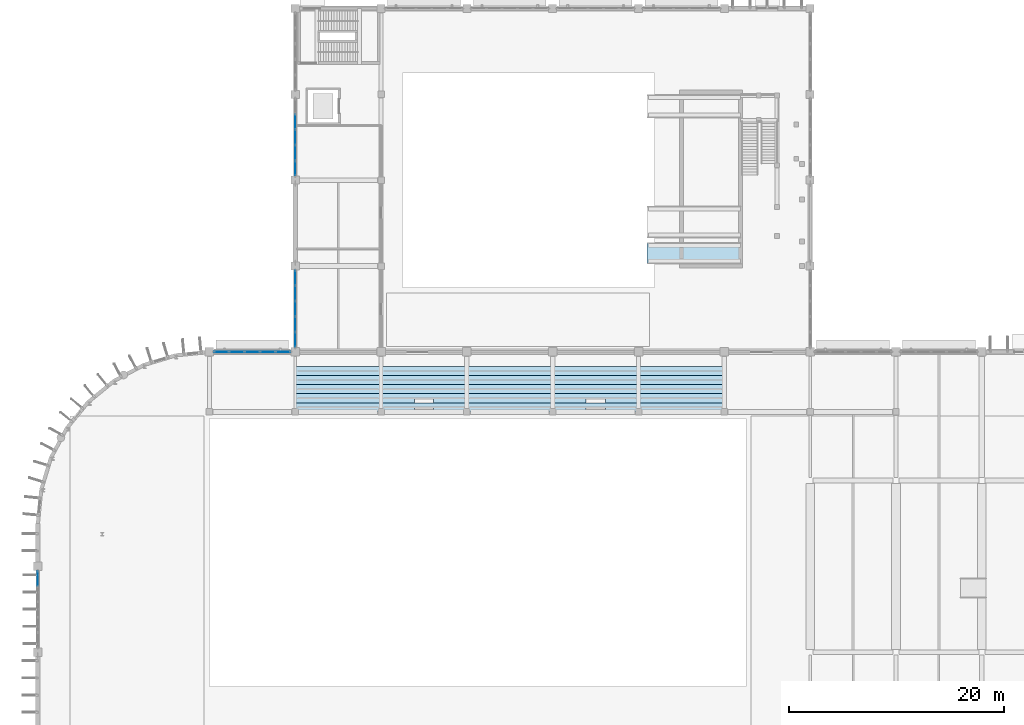
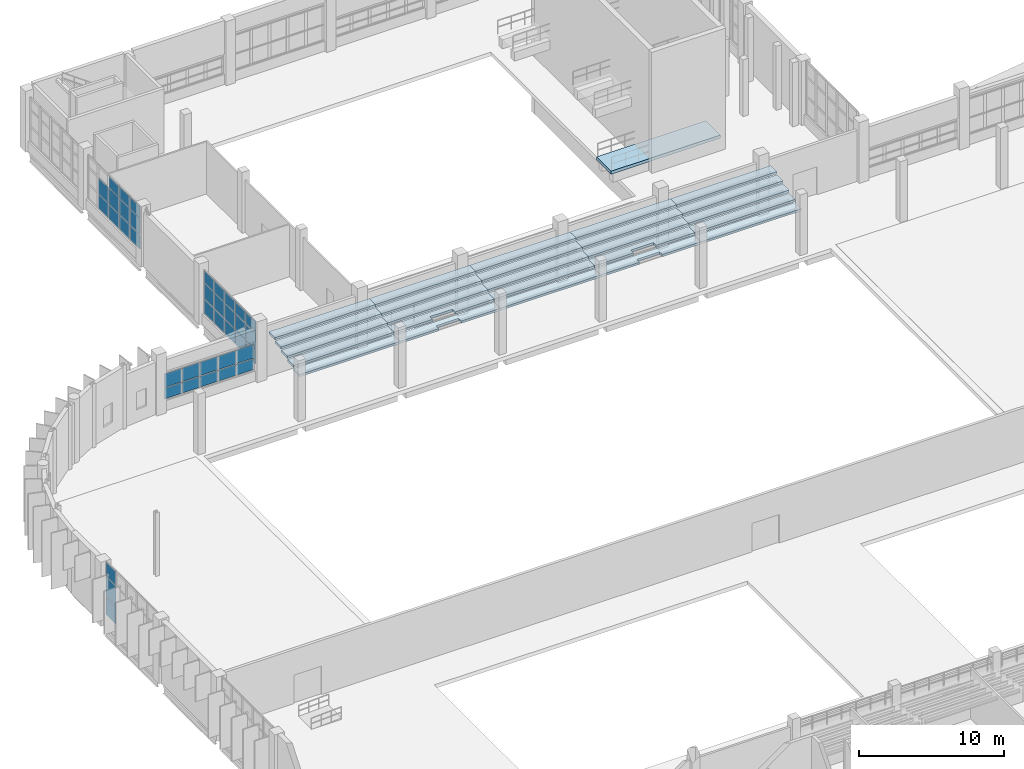
# One storey, part 57 of 103: 39 plates, 26 slabs, 4 elements without a shape of their own.
"""IFC4 building model written with IfcOpenShell, lengths in metres."""

from ifc_helpers import new_model, si_unit, direction, frame, origin, origin_2d, place, context, subcontext, project, spatial, polyline, rectangle, outline, extrude, material, layer, layer_set, type_object, element, aggregate, save


model = new_model("IFC4")

# Units and contexts
model_context = context("Model", 3, precision=1e-05, world=origin(), true_north=direction((0.0, 1.0)))
body_context = subcontext(model_context, "Body", "Model", "MODEL_VIEW")
ifc_project = project(units=[si_unit("LENGTHUNIT", "METRE"), si_unit("AREAUNIT", "SQUARE_METRE"), si_unit("VOLUMEUNIT", "CUBIC_METRE"), si_unit("PLANEANGLEUNIT", "RADIAN"), si_unit("MASSUNIT", "GRAM", prefix="KILO")], contexts=[model_context])

# Site, building, storey
site_placement = place(None, origin())
site = spatial("IfcSite", under=ifc_project, at=site_placement, CompositionType="ELEMENT")
building_placement = place(site_placement, origin())
building = spatial("IfcBuilding", under=site, at=building_placement, Name="Drelvana Railside Aquatics Centre", CompositionType="ELEMENT")
storey_placement = place(building_placement, origin())
storey = spatial("IfcBuildingStorey", under=building, at=storey_placement, Name="L00", CompositionType="ELEMENT", Elevation=0.0)

# Curtain wall, plates
ifc_material_1 = material(Name="Bronze-anodised aluminium curtain wall", Category="aluminium")
ifc_layer_1 = layer(ifc_material_1, 0.199951171875, Name="Bronze-anodised aluminium curtain wall")
ifc_layer_set_1 = layer_set([ifc_layer_1], Name="Bronze-anodised aluminium curtain wall")
curtain_wall_type_1 = type_object("IfcCurtainWallType", Name="CW-Z1-SINE", PredefinedType="NOTDEFINED", material=ifc_layer_set_1)
curtain_wall_1_placement = place(storey_placement, origin())
curtain_wall_1 = element("IfcCurtainWall", 1, at=curtain_wall_1_placement, inside=storey, type_object=curtain_wall_type_1, Name="Curtain wall CW-01-017", PredefinedType="NOTDEFINED")
ifc_material_2 = material(Name="Double-glazed low-e solar-control glass", Category="glass")
ifc_layer_2 = layer(ifc_material_2, 0.031982421875, Name="Double-glazed low-e solar-control glass")
ifc_layer_set_2 = layer_set([ifc_layer_2], Name="Double-glazed low-e solar-control glass")
plate_type_1 = type_object("IfcPlateType", Name="CW-Z1-SINE-PAN", PredefinedType="CURTAIN_PANEL", material=ifc_layer_set_2)
plate_1_placement = place(storey_placement, frame((17.134033203125, 84.0, 0.9091796875), z_axis=(0.0, 0.0, 1.0), x_axis=(1.0, 0.0, 0.0)))
plate_1 = element("IfcPlate", 2, at=plate_1_placement, type_object=plate_type_1, Name="CW-01 panel 1.1", PredefinedType="CURTAIN_PANEL", context=body_context, shape_type="SweptSolid", body=[
    extrude(rectangle(XDim=1.33984375, YDim=0.031982421875, at=origin_2d()), origin(), (0.0, 0.0, 1.0), 0.910888671875),
])
plate_2_placement = place(storey_placement, frame((17.134033203125, 84.0, 1.8798828125), z_axis=(0.0, 0.0, 1.0), x_axis=(1.0, 0.0, 0.0)))
plate_2 = element("IfcPlate", 3, at=plate_2_placement, type_object=plate_type_1, Name="CW-01 panel 1.2", PredefinedType="CURTAIN_PANEL", context=body_context, shape_type="SweptSolid", body=[
    extrude(rectangle(XDim=1.33984375, YDim=0.031982421875, at=origin_2d()), origin(), (0.0, 0.0, 1.0), 1.135009765625),
])
plate_3_placement = place(storey_placement, frame((18.5576171875, 84.0, 0.9091796875), z_axis=(0.0, 0.0, 1.0), x_axis=(1.0, 0.0, 0.0)))
plate_3 = element("IfcPlate", 4, at=plate_3_placement, type_object=plate_type_1, Name="CW-01 panel 2.1", PredefinedType="CURTAIN_PANEL", context=body_context, shape_type="SweptSolid", body=[
    extrude(rectangle(XDim=1.37744140625, YDim=0.031982421875, at=origin_2d()), origin(), (0.0, 0.0, 1.0), 0.910888671875),
])
plate_4_placement = place(storey_placement, frame((18.5576171875, 84.0, 1.8798828125), z_axis=(0.0, 0.0, 1.0), x_axis=(1.0, 0.0, 0.0)))
plate_4 = element("IfcPlate", 5, at=plate_4_placement, type_object=plate_type_1, Name="CW-01 panel 2.2", PredefinedType="CURTAIN_PANEL", context=body_context, shape_type="SweptSolid", body=[
    extrude(rectangle(XDim=1.37744140625, YDim=0.031982421875, at=origin_2d()), origin(), (0.0, 0.0, 1.0), 1.135009765625),
])
plate_5_placement = place(storey_placement, frame((20.0, 84.0, 0.9091796875), z_axis=(0.0, 0.0, 1.0), x_axis=(1.0, 0.0, 0.0)))
plate_5 = element("IfcPlate", 6, at=plate_5_placement, type_object=plate_type_1, Name="CW-01 panel 3.1", PredefinedType="CURTAIN_PANEL", context=body_context, shape_type="SweptSolid", body=[
    extrude(rectangle(XDim=1.37744140625, YDim=0.031982421875, at=origin_2d()), origin(), (0.0, 0.0, 1.0), 0.910888671875),
])
plate_6_placement = place(storey_placement, frame((20.0, 84.0, 1.8798828125), z_axis=(0.0, 0.0, 1.0), x_axis=(1.0, 0.0, 0.0)))
plate_6 = element("IfcPlate", 7, at=plate_6_placement, type_object=plate_type_1, Name="CW-01 panel 3.2", PredefinedType="CURTAIN_PANEL", context=body_context, shape_type="SweptSolid", body=[
    extrude(rectangle(XDim=1.37744140625, YDim=0.031982421875, at=origin_2d()), origin(), (0.0, 0.0, 1.0), 1.135009765625),
])
plate_7_placement = place(storey_placement, frame((21.4423828125, 84.0, 0.9091796875), z_axis=(0.0, 0.0, 1.0), x_axis=(1.0, 0.0, 0.0)))
plate_7 = element("IfcPlate", 8, at=plate_7_placement, type_object=plate_type_1, Name="CW-01 panel 4.1", PredefinedType="CURTAIN_PANEL", context=body_context, shape_type="SweptSolid", body=[
    extrude(rectangle(XDim=1.37744140625, YDim=0.031982421875, at=origin_2d()), origin(), (0.0, 0.0, 1.0), 0.910888671875),
])
plate_8_placement = place(storey_placement, frame((21.4423828125, 84.0, 1.8798828125), z_axis=(0.0, 0.0, 1.0), x_axis=(1.0, 0.0, 0.0)))
plate_8 = element("IfcPlate", 9, at=plate_8_placement, type_object=plate_type_1, Name="CW-01 panel 4.2", PredefinedType="CURTAIN_PANEL", context=body_context, shape_type="SweptSolid", body=[
    extrude(rectangle(XDim=1.37744140625, YDim=0.031982421875, at=origin_2d()), origin(), (0.0, 0.0, 1.0), 1.135009765625),
])
plate_9_placement = place(storey_placement, frame((22.865966796875, 84.0, 0.9091796875), z_axis=(0.0, 0.0, 1.0), x_axis=(1.0, 0.0, 0.0)))
plate_9 = element("IfcPlate", 10, at=plate_9_placement, type_object=plate_type_1, Name="CW-01 panel 5.1", PredefinedType="CURTAIN_PANEL", context=body_context, shape_type="SweptSolid", body=[
    extrude(rectangle(XDim=1.33984375, YDim=0.031982421875, at=origin_2d()), origin(), (0.0, 0.0, 1.0), 0.910888671875),
])
plate_10_placement = place(storey_placement, frame((22.865966796875, 84.0, 1.8798828125), z_axis=(0.0, 0.0, 1.0), x_axis=(1.0, 0.0, 0.0)))
plate_10 = element("IfcPlate", 11, at=plate_10_placement, type_object=plate_type_1, Name="CW-01 panel 5.2", PredefinedType="CURTAIN_PANEL", context=body_context, shape_type="SweptSolid", body=[
    extrude(rectangle(XDim=1.33984375, YDim=0.031982421875, at=origin_2d()), origin(), (0.0, 0.0, 1.0), 1.135009765625),
])
aggregate(curtain_wall_1, [plate_1, plate_2, plate_3, plate_4, plate_5, plate_6, plate_7, plate_8, plate_9, plate_10])

ifc_layer_3 = layer(ifc_material_1, 0.179931640625, Name="Bronze-anodised aluminium curtain wall")
ifc_layer_set_3 = layer_set([ifc_layer_3], Name="Bronze-anodised aluminium curtain wall")
curtain_wall_type_2 = type_object("IfcCurtainWallType", Name="CW-Z2-CLER", PredefinedType="NOTDEFINED", material=ifc_layer_set_3)
curtain_wall_2_placement = place(storey_placement, origin())
curtain_wall_2 = element("IfcCurtainWall", 12, at=curtain_wall_2_placement, inside=storey, type_object=curtain_wall_type_2, Name="Curtain wall CW-02-050", PredefinedType="NOTDEFINED")
ifc_layer_4 = layer(ifc_material_2, 0.028076171875, Name="Double-glazed low-e solar-control glass")
ifc_layer_set_4 = layer_set([ifc_layer_4], Name="Double-glazed low-e solar-control glass")
plate_type_2 = type_object("IfcPlateType", Name="CW-Z2-CLER-PAN", PredefinedType="CURTAIN_PANEL", material=ifc_layer_set_4)
plate_11_placement = place(storey_placement, frame((0.0, 62.8671875, 0.904052734375), z_axis=(0.0, 0.0, 1.0), x_axis=(0.0, 1.0, 0.0)))
plate_11 = element("IfcPlate", 13, at=plate_11_placement, type_object=plate_type_2, Name="CW-02 panel 5.1", PredefinedType="CURTAIN_PANEL", context=body_context, shape_type="SweptSolid", body=[
    extrude(rectangle(XDim=1.347412109375, YDim=0.028076171875, at=origin_2d()), origin(), (0.0, 0.0, 1.0), 1.50341796875),
])
plate_12_placement = place(storey_placement, frame((0.0, 62.8671875, 2.46240234375), z_axis=(0.0, 0.0, 1.0), x_axis=(0.0, 1.0, 0.0)))
plate_12 = element("IfcPlate", 14, at=plate_12_placement, type_object=plate_type_2, Name="CW-02 panel 5.2", PredefinedType="CURTAIN_PANEL", context=body_context, shape_type="SweptSolid", body=[
    extrude(rectangle(XDim=1.347412109375, YDim=0.028076171875, at=origin_2d()), origin(), (0.0, 0.0, 1.0), 1.626953125),
])
plate_13_placement = place(storey_placement, frame((0.0, 62.8671875, 4.14453125), z_axis=(0.0, 0.0, 1.0), x_axis=(0.0, 1.0, 0.0)))
plate_13 = element("IfcPlate", 15, at=plate_13_placement, type_object=plate_type_2, Name="CW-02 panel 5.3", PredefinedType="CURTAIN_PANEL", context=body_context, shape_type="SweptSolid", body=[
    extrude(rectangle(XDim=1.347412109375, YDim=0.028076171875, at=origin_2d()), origin(), (0.0, 0.0, 1.0), 1.185546875),
])
aggregate(curtain_wall_2, [plate_11, plate_12, plate_13])

ifc_layer_5 = layer(ifc_material_1, 0.2099609375, Name="Bronze-anodised aluminium curtain wall")
ifc_layer_set_5 = layer_set([ifc_layer_5], Name="Bronze-anodised aluminium curtain wall")
curtain_wall_type_3 = type_object("IfcCurtainWallType", Name="CW-Z7-DIVE", PredefinedType="NOTDEFINED", material=ifc_layer_set_5)
curtain_wall_3_placement = place(storey_placement, origin())
curtain_wall_3 = element("IfcCurtainWall", 16, at=curtain_wall_3_placement, inside=storey, type_object=curtain_wall_type_3, Name="Curtain wall CW-07-081", PredefinedType="NOTDEFINED")
ifc_layer_6 = layer(ifc_material_2, 0.033935546875, Name="Double-glazed low-e solar-control glass")
ifc_layer_set_6 = layer_set([ifc_layer_6], Name="Double-glazed low-e solar-control glass")
plate_type_3 = type_object("IfcPlateType", Name="CW-Z7-DIVE-PAN", PredefinedType="CURTAIN_PANEL", material=ifc_layer_set_6)
plate_14_placement = place(storey_placement, frame((24.0, 85.1376953125, 0.908935546875), z_axis=(0.0, 0.0, 1.0), x_axis=(0.0, 1.0, 0.0)))
plate_14 = element("IfcPlate", 17, at=plate_14_placement, type_object=plate_type_3, Name="CW-07 panel 1.1", PredefinedType="CURTAIN_PANEL", context=body_context, shape_type="SweptSolid", body=[
    extrude(rectangle(XDim=1.33740234375, YDim=0.033935546875, at=origin_2d()), origin(), (0.0, 0.0, 1.0), 1.2041015625),
])
plate_15_placement = place(storey_placement, frame((24.0, 85.1376953125, 2.173095703125), z_axis=(0.0, 0.0, 1.0), x_axis=(0.0, 1.0, 0.0)))
plate_15 = element("IfcPlate", 18, at=plate_15_placement, type_object=plate_type_3, Name="CW-07 panel 1.2", PredefinedType="CURTAIN_PANEL", context=body_context, shape_type="SweptSolid", body=[
    extrude(rectangle(XDim=1.33740234375, YDim=0.033935546875, at=origin_2d()), origin(), (0.0, 0.0, 1.0), 1.31298828125),
])
plate_16_placement = place(storey_placement, frame((24.0, 85.1376953125, 3.5458984375), z_axis=(0.0, 0.0, 1.0), x_axis=(0.0, 1.0, 0.0)))
plate_16 = element("IfcPlate", 19, at=plate_16_placement, type_object=plate_type_3, Name="CW-07 panel 1.3", PredefinedType="CURTAIN_PANEL", context=body_context, shape_type="SweptSolid", body=[
    extrude(rectangle(XDim=1.33740234375, YDim=0.033935546875, at=origin_2d()), origin(), (0.0, 0.0, 1.0), 0.944091796875),
])
plate_17_placement = place(storey_placement, frame((24.0, 86.565185546875, 0.908935546875), z_axis=(0.0, 0.0, 1.0), x_axis=(0.0, 1.0, 0.0)))
plate_17 = element("IfcPlate", 20, at=plate_17_placement, type_object=plate_type_3, Name="CW-07 panel 2.1", PredefinedType="CURTAIN_PANEL", context=body_context, shape_type="SweptSolid", body=[
    extrude(rectangle(XDim=1.37744140625, YDim=0.033935546875, at=origin_2d()), origin(), (0.0, 0.0, 1.0), 1.2041015625),
])
plate_18_placement = place(storey_placement, frame((24.0, 86.565185546875, 2.173095703125), z_axis=(0.0, 0.0, 1.0), x_axis=(0.0, 1.0, 0.0)))
plate_18 = element("IfcPlate", 21, at=plate_18_placement, type_object=plate_type_3, Name="CW-07 panel 2.2", PredefinedType="CURTAIN_PANEL", context=body_context, shape_type="SweptSolid", body=[
    extrude(rectangle(XDim=1.37744140625, YDim=0.033935546875, at=origin_2d()), origin(), (0.0, 0.0, 1.0), 1.31298828125),
])
plate_19_placement = place(storey_placement, frame((24.0, 86.565185546875, 3.5458984375), z_axis=(0.0, 0.0, 1.0), x_axis=(0.0, 1.0, 0.0)))
plate_19 = element("IfcPlate", 22, at=plate_19_placement, type_object=plate_type_3, Name="CW-07 panel 2.3", PredefinedType="CURTAIN_PANEL", context=body_context, shape_type="SweptSolid", body=[
    extrude(rectangle(XDim=1.37744140625, YDim=0.033935546875, at=origin_2d()), origin(), (0.0, 0.0, 1.0), 0.944091796875),
])
plate_20_placement = place(storey_placement, frame((24.0, 88.012451171875, 0.908935546875), z_axis=(0.0, 0.0, 1.0), x_axis=(0.0, 1.0, 0.0)))
plate_20 = element("IfcPlate", 23, at=plate_20_placement, type_object=plate_type_3, Name="CW-07 panel 3.1", PredefinedType="CURTAIN_PANEL", context=body_context, shape_type="SweptSolid", body=[
    extrude(rectangle(XDim=1.37744140625, YDim=0.033935546875, at=origin_2d()), origin(), (0.0, 0.0, 1.0), 1.2041015625),
])
plate_21_placement = place(storey_placement, frame((24.0, 88.012451171875, 2.173095703125), z_axis=(0.0, 0.0, 1.0), x_axis=(0.0, 1.0, 0.0)))
plate_21 = element("IfcPlate", 24, at=plate_21_placement, type_object=plate_type_3, Name="CW-07 panel 3.2", PredefinedType="CURTAIN_PANEL", context=body_context, shape_type="SweptSolid", body=[
    extrude(rectangle(XDim=1.37744140625, YDim=0.033935546875, at=origin_2d()), origin(), (0.0, 0.0, 1.0), 1.31298828125),
])
plate_22_placement = place(storey_placement, frame((24.0, 88.012451171875, 3.5458984375), z_axis=(0.0, 0.0, 1.0), x_axis=(0.0, 1.0, 0.0)))
plate_22 = element("IfcPlate", 25, at=plate_22_placement, type_object=plate_type_3, Name="CW-07 panel 3.3", PredefinedType="CURTAIN_PANEL", context=body_context, shape_type="SweptSolid", body=[
    extrude(rectangle(XDim=1.37744140625, YDim=0.033935546875, at=origin_2d()), origin(), (0.0, 0.0, 1.0), 0.944091796875),
])
plate_23_placement = place(storey_placement, frame((24.0, 89.4599609375, 0.908935546875), z_axis=(0.0, 0.0, 1.0), x_axis=(0.0, 1.0, 0.0)))
plate_23 = element("IfcPlate", 26, at=plate_23_placement, type_object=plate_type_3, Name="CW-07 panel 4.1", PredefinedType="CURTAIN_PANEL", context=body_context, shape_type="SweptSolid", body=[
    extrude(rectangle(XDim=1.37744140625, YDim=0.033935546875, at=origin_2d()), origin(), (0.0, 0.0, 1.0), 1.2041015625),
])
plate_24_placement = place(storey_placement, frame((24.0, 89.4599609375, 2.173095703125), z_axis=(0.0, 0.0, 1.0), x_axis=(0.0, 1.0, 0.0)))
plate_24 = element("IfcPlate", 27, at=plate_24_placement, type_object=plate_type_3, Name="CW-07 panel 4.2", PredefinedType="CURTAIN_PANEL", context=body_context, shape_type="SweptSolid", body=[
    extrude(rectangle(XDim=1.37744140625, YDim=0.033935546875, at=origin_2d()), origin(), (0.0, 0.0, 1.0), 1.31298828125),
])
plate_25_placement = place(storey_placement, frame((24.0, 89.4599609375, 3.5458984375), z_axis=(0.0, 0.0, 1.0), x_axis=(0.0, 1.0, 0.0)))
plate_25 = element("IfcPlate", 28, at=plate_25_placement, type_object=plate_type_3, Name="CW-07 panel 4.3", PredefinedType="CURTAIN_PANEL", context=body_context, shape_type="SweptSolid", body=[
    extrude(rectangle(XDim=1.37744140625, YDim=0.033935546875, at=origin_2d()), origin(), (0.0, 0.0, 1.0), 0.944091796875),
])
plate_26_placement = place(storey_placement, frame((24.0, 90.88720703125, 0.908935546875), z_axis=(0.0, 0.0, 1.0), x_axis=(0.0, 1.0, 0.0)))
plate_26 = element("IfcPlate", 29, at=plate_26_placement, type_object=plate_type_3, Name="CW-07 panel 5.1", PredefinedType="CURTAIN_PANEL", context=body_context, shape_type="SweptSolid", body=[
    extrude(rectangle(XDim=1.33740234375, YDim=0.033935546875, at=origin_2d()), origin(), (0.0, 0.0, 1.0), 1.2041015625),
])
plate_27_placement = place(storey_placement, frame((24.0, 90.88720703125, 2.173095703125), z_axis=(0.0, 0.0, 1.0), x_axis=(0.0, 1.0, 0.0)))
plate_27 = element("IfcPlate", 30, at=plate_27_placement, type_object=plate_type_3, Name="CW-07 panel 5.2", PredefinedType="CURTAIN_PANEL", context=body_context, shape_type="SweptSolid", body=[
    extrude(rectangle(XDim=1.33740234375, YDim=0.033935546875, at=origin_2d()), origin(), (0.0, 0.0, 1.0), 1.31298828125),
])
plate_28_placement = place(storey_placement, frame((24.0, 90.88720703125, 3.5458984375), z_axis=(0.0, 0.0, 1.0), x_axis=(0.0, 1.0, 0.0)))
plate_28 = element("IfcPlate", 31, at=plate_28_placement, type_object=plate_type_3, Name="CW-07 panel 5.3", PredefinedType="CURTAIN_PANEL", context=body_context, shape_type="SweptSolid", body=[
    extrude(rectangle(XDim=1.33740234375, YDim=0.033935546875, at=origin_2d()), origin(), (0.0, 0.0, 1.0), 0.944091796875),
])
aggregate(curtain_wall_3, [plate_14, plate_15, plate_16, plate_17, plate_18, plate_19, plate_20, plate_21, plate_22, plate_23, plate_24, plate_25, plate_26, plate_27, plate_28])

curtain_wall_4_placement = place(storey_placement, origin())
curtain_wall_4 = element("IfcCurtainWall", 32, at=curtain_wall_4_placement, inside=storey, type_object=curtain_wall_type_3, Name="Curtain wall CW-07-084", PredefinedType="NOTDEFINED")
plate_29_placement = place(storey_placement, frame((24.0, 101.115234375, 0.908935546875), z_axis=(0.0, 0.0, 1.0), x_axis=(0.0, 1.0, 0.0)))
plate_29 = element("IfcPlate", 33, at=plate_29_placement, type_object=plate_type_3, Name="CW-07 panel 1.1", PredefinedType="CURTAIN_PANEL", context=body_context, shape_type="SweptSolid", body=[
    extrude(rectangle(XDim=1.34228515625, YDim=0.033935546875, at=origin_2d()), origin(), (0.0, 0.0, 1.0), 1.2041015625),
])
plate_30_placement = place(storey_placement, frame((24.0, 101.115234375, 2.173095703125), z_axis=(0.0, 0.0, 1.0), x_axis=(0.0, 1.0, 0.0)))
plate_30 = element("IfcPlate", 34, at=plate_30_placement, type_object=plate_type_3, Name="CW-07 panel 1.2", PredefinedType="CURTAIN_PANEL", context=body_context, shape_type="SweptSolid", body=[
    extrude(rectangle(XDim=1.34228515625, YDim=0.033935546875, at=origin_2d()), origin(), (0.0, 0.0, 1.0), 1.31298828125),
])
plate_31_placement = place(storey_placement, frame((24.0, 101.115234375, 3.5458984375), z_axis=(0.0, 0.0, 1.0), x_axis=(0.0, 1.0, 0.0)))
plate_31 = element("IfcPlate", 35, at=plate_31_placement, type_object=plate_type_3, Name="CW-07 panel 1.3", PredefinedType="CURTAIN_PANEL", context=body_context, shape_type="SweptSolid", body=[
    extrude(rectangle(XDim=1.34228515625, YDim=0.033935546875, at=origin_2d()), origin(), (0.0, 0.0, 1.0), 0.944091796875),
])
plate_32_placement = place(storey_placement, frame((24.0, 102.547607421875, 0.908935546875), z_axis=(0.0, 0.0, 1.0), x_axis=(0.0, 1.0, 0.0)))
plate_32 = element("IfcPlate", 36, at=plate_32_placement, type_object=plate_type_3, Name="CW-07 panel 2.1", PredefinedType="CURTAIN_PANEL", context=body_context, shape_type="SweptSolid", body=[
    extrude(rectangle(XDim=1.38232421875, YDim=0.033935546875, at=origin_2d()), origin(), (0.0, 0.0, 1.0), 1.2041015625),
])
plate_33_placement = place(storey_placement, frame((24.0, 102.547607421875, 2.173095703125), z_axis=(0.0, 0.0, 1.0), x_axis=(0.0, 1.0, 0.0)))
plate_33 = element("IfcPlate", 37, at=plate_33_placement, type_object=plate_type_3, Name="CW-07 panel 2.2", PredefinedType="CURTAIN_PANEL", context=body_context, shape_type="SweptSolid", body=[
    extrude(rectangle(XDim=1.38232421875, YDim=0.033935546875, at=origin_2d()), origin(), (0.0, 0.0, 1.0), 1.31298828125),
])
plate_34_placement = place(storey_placement, frame((24.0, 102.547607421875, 3.5458984375), z_axis=(0.0, 0.0, 1.0), x_axis=(0.0, 1.0, 0.0)))
plate_34 = element("IfcPlate", 38, at=plate_34_placement, type_object=plate_type_3, Name="CW-07 panel 2.3", PredefinedType="CURTAIN_PANEL", context=body_context, shape_type="SweptSolid", body=[
    extrude(rectangle(XDim=1.38232421875, YDim=0.033935546875, at=origin_2d()), origin(), (0.0, 0.0, 1.0), 0.944091796875),
])
plate_35_placement = place(storey_placement, frame((24.0, 104.0, 0.908935546875), z_axis=(0.0, 0.0, 1.0), x_axis=(0.0, 1.0, 0.0)))
plate_35 = element("IfcPlate", 39, at=plate_35_placement, type_object=plate_type_3, Name="CW-07 panel 3.1", PredefinedType="CURTAIN_PANEL", context=body_context, shape_type="SweptSolid", body=[
    extrude(rectangle(XDim=1.38232421875, YDim=0.033935546875, at=origin_2d()), origin(), (0.0, 0.0, 1.0), 1.2041015625),
])
plate_36_placement = place(storey_placement, frame((24.0, 104.0, 2.173095703125), z_axis=(0.0, 0.0, 1.0), x_axis=(0.0, 1.0, 0.0)))
plate_36 = element("IfcPlate", 40, at=plate_36_placement, type_object=plate_type_3, Name="CW-07 panel 3.2", PredefinedType="CURTAIN_PANEL", context=body_context, shape_type="SweptSolid", body=[
    extrude(rectangle(XDim=1.38232421875, YDim=0.033935546875, at=origin_2d()), origin(), (0.0, 0.0, 1.0), 1.31298828125),
])
plate_37_placement = place(storey_placement, frame((24.0, 104.0, 3.5458984375), z_axis=(0.0, 0.0, 1.0), x_axis=(0.0, 1.0, 0.0)))
plate_37 = element("IfcPlate", 41, at=plate_37_placement, type_object=plate_type_3, Name="CW-07 panel 3.3", PredefinedType="CURTAIN_PANEL", context=body_context, shape_type="SweptSolid", body=[
    extrude(rectangle(XDim=1.38232421875, YDim=0.033935546875, at=origin_2d()), origin(), (0.0, 0.0, 1.0), 0.944091796875),
])
plate_38_placement = place(storey_placement, frame((24.0, 105.452392578125, 0.908935546875), z_axis=(0.0, 0.0, 1.0), x_axis=(0.0, 1.0, 0.0)))
plate_38 = element("IfcPlate", 42, at=plate_38_placement, type_object=plate_type_3, Name="CW-07 panel 4.1", PredefinedType="CURTAIN_PANEL", context=body_context, shape_type="SweptSolid", body=[
    extrude(rectangle(XDim=1.38232421875, YDim=0.033935546875, at=origin_2d()), origin(), (0.0, 0.0, 1.0), 1.2041015625),
])
plate_39_placement = place(storey_placement, frame((24.0, 105.452392578125, 2.173095703125), z_axis=(0.0, 0.0, 1.0), x_axis=(0.0, 1.0, 0.0)))
plate_39 = element("IfcPlate", 43, at=plate_39_placement, type_object=plate_type_3, Name="CW-07 panel 4.2", PredefinedType="CURTAIN_PANEL", context=body_context, shape_type="SweptSolid", body=[
    extrude(rectangle(XDim=1.38232421875, YDim=0.033935546875, at=origin_2d()), origin(), (0.0, 0.0, 1.0), 1.31298828125),
])
aggregate(curtain_wall_4, [plate_29, plate_30, plate_31, plate_32, plate_33, plate_34, plate_35, plate_36, plate_37, plate_38, plate_39])

# Slabs
ifc_material_3 = material(Name="Concrete C40/50", Category="concrete")
ifc_layer_7 = layer(ifc_material_3, 0.260009765625, Name="Concrete C40/50")
ifc_layer_set_7 = layer_set([ifc_layer_7], Name="Concrete C40/50")
slab_type_1 = type_object("IfcSlabType", Name="SL-DV-260", PredefinedType="FLOOR", material=ifc_layer_set_7)
slab_1_placement = place(storey_placement, frame((0.0, 0.0, 0.739990234375)))
element("IfcSlab", 44, at=slab_1_placement, inside=storey, type_object=slab_type_1, Name="Diving platform 1M slab", PredefinedType="FLOOR", context=body_context, shape_type="SweptSolid", body=[
    extrude(outline(polyline([(56.800048828125, 92.199951171875), (65.5, 92.199951171875), (65.5, 94.199951171875), (56.800048828125, 94.199951171875), (56.800048828125, 92.199951171875)])), origin(), (0.0, 0.0, 1.0), 0.260009765625),
])
ifc_material_4 = material(Name="Precast concrete C40/50", Category="concrete")
ifc_layer_8 = layer(ifc_material_4, 0.195068359375, Name="Precast concrete C40/50")
ifc_layer_set_8 = layer_set([ifc_layer_8], Name="Precast concrete C40/50")
slab_type_2 = type_object("IfcSlabType", Name="SL-TIER-195", PredefinedType="USERDEFINED", material=ifc_layer_set_8)
slab_2_placement = place(storey_placement, frame((0.0, 0.0, 3.50634765625)))
element("IfcSlab", 45, at=slab_2_placement, inside=storey, type_object=slab_type_2, Name="Stand Lower Tier N Bay 1 Row 1", ObjectType="SEATING TIER", PredefinedType="USERDEFINED", context=body_context, shape_type="SweptSolid", body=[
    extrude(outline(polyline([(24.0, 78.39990234375), (32.0, 78.39990234375), (32.0, 79.25), (24.0, 79.25), (24.0, 78.39990234375)])), origin(), (0.0, 0.0, 1.0), 0.195068359375),
])
slab_3_placement = place(storey_placement, frame((0.0, 0.0, 3.768798828125)))
element("IfcSlab", 46, at=slab_3_placement, inside=storey, type_object=slab_type_2, Name="Stand Lower Tier N Bay 1 Row 2", ObjectType="SEATING TIER", PredefinedType="USERDEFINED", context=body_context, shape_type="SweptSolid", body=[
    extrude(outline(polyline([(24.0, 79.25), (32.0, 79.25), (32.0, 80.10009765625), (24.0, 80.10009765625), (24.0, 79.25)])), origin(), (0.0, 0.0, 1.0), 0.195068359375),
])
slab_4_placement = place(storey_placement, frame((0.0, 0.0, 4.031494140625)))
element("IfcSlab", 47, at=slab_4_placement, inside=storey, type_object=slab_type_2, Name="Stand Lower Tier N Bay 1 Row 3", ObjectType="SEATING TIER", PredefinedType="USERDEFINED", context=body_context, shape_type="SweptSolid", body=[
    extrude(outline(polyline([(24.0, 80.10009765625), (32.0, 80.10009765625), (32.0, 80.949951171875), (24.0, 80.949951171875), (24.0, 80.10009765625)])), origin(), (0.0, 0.0, 1.0), 0.195068359375),
])
slab_5_placement = place(storey_placement, frame((0.0, 0.0, 4.294189453125)))
element("IfcSlab", 48, at=slab_5_placement, inside=storey, type_object=slab_type_2, Name="Stand Lower Tier N Bay 1 Row 4", ObjectType="SEATING TIER", PredefinedType="USERDEFINED", context=body_context, shape_type="SweptSolid", body=[
    extrude(outline(polyline([(24.0, 80.949951171875), (32.0, 80.949951171875), (32.0, 81.800048828125), (24.0, 81.800048828125), (24.0, 80.949951171875)])), origin(), (0.0, 0.0, 1.0), 0.19482421875),
])
slab_6_placement = place(storey_placement, frame((0.0, 0.0, 4.556640625)))
element("IfcSlab", 49, at=slab_6_placement, inside=storey, type_object=slab_type_2, Name="Stand Lower Tier N Bay 1 Row 5", ObjectType="SEATING TIER", PredefinedType="USERDEFINED", context=body_context, shape_type="SweptSolid", body=[
    extrude(outline(polyline([(24.0, 81.800048828125), (32.0, 81.800048828125), (32.0, 82.64990234375), (24.0, 82.64990234375), (24.0, 81.800048828125)])), origin(), (0.0, 0.0, 1.0), 0.195068359375),
])
slab_7_placement = place(storey_placement, frame((0.0, 0.0, 3.50634765625)))
element("IfcSlab", 50, at=slab_7_placement, inside=storey, type_object=slab_type_2, Name="Stand Lower Tier Vomitory N Bay 2 Row 1", ObjectType="SEATING TIER", PredefinedType="USERDEFINED", context=body_context, shape_type="SweptSolid", body=[
    extrude(outline(polyline([(32.0, 78.39990234375), (35.10009765625, 78.39990234375), (35.10009765625, 78.780029296875), (36.89990234375, 78.780029296875), (36.89990234375, 78.39990234375), (40.0, 78.39990234375), (40.0, 79.25), (32.0, 79.25), (32.0, 78.39990234375)])), origin(), (0.0, 0.0, 1.0), 0.195068359375),
])
slab_8_placement = place(storey_placement, frame((0.0, 0.0, 3.768798828125)))
element("IfcSlab", 51, at=slab_8_placement, inside=storey, type_object=slab_type_2, Name="Stand Lower Tier Vomitory N Bay 2 Row 2", ObjectType="SEATING TIER", PredefinedType="USERDEFINED", context=body_context, shape_type="SweptSolid", body=[
    extrude(outline(polyline([(32.0, 79.25), (35.10009765625, 79.25), (35.10009765625, 79.6298828125), (36.89990234375, 79.6298828125), (36.89990234375, 79.25), (40.0, 79.25), (40.0, 80.10009765625), (32.0, 80.10009765625), (32.0, 79.25)])), origin(), (0.0, 0.0, 1.0), 0.195068359375),
])
slab_9_placement = place(storey_placement, frame((0.0, 0.0, 4.031494140625)))
element("IfcSlab", 52, at=slab_9_placement, inside=storey, type_object=slab_type_2, Name="Stand Lower Tier N Bay 2 Row 3", ObjectType="SEATING TIER", PredefinedType="USERDEFINED", context=body_context, shape_type="SweptSolid", body=[
    extrude(outline(polyline([(32.0, 80.10009765625), (40.0, 80.10009765625), (40.0, 80.949951171875), (32.0, 80.949951171875), (32.0, 80.10009765625)])), origin(), (0.0, 0.0, 1.0), 0.195068359375),
])
slab_10_placement = place(storey_placement, frame((0.0, 0.0, 4.294189453125)))
element("IfcSlab", 53, at=slab_10_placement, inside=storey, type_object=slab_type_2, Name="Stand Lower Tier N Bay 2 Row 4", ObjectType="SEATING TIER", PredefinedType="USERDEFINED", context=body_context, shape_type="SweptSolid", body=[
    extrude(outline(polyline([(32.0, 80.949951171875), (40.0, 80.949951171875), (40.0, 81.800048828125), (32.0, 81.800048828125), (32.0, 80.949951171875)])), origin(), (0.0, 0.0, 1.0), 0.19482421875),
])
slab_11_placement = place(storey_placement, frame((0.0, 0.0, 4.556640625)))
element("IfcSlab", 54, at=slab_11_placement, inside=storey, type_object=slab_type_2, Name="Stand Lower Tier N Bay 2 Row 5", ObjectType="SEATING TIER", PredefinedType="USERDEFINED", context=body_context, shape_type="SweptSolid", body=[
    extrude(outline(polyline([(32.0, 81.800048828125), (40.0, 81.800048828125), (40.0, 82.64990234375), (32.0, 82.64990234375), (32.0, 81.800048828125)])), origin(), (0.0, 0.0, 1.0), 0.195068359375),
])
slab_12_placement = place(storey_placement, frame((0.0, 0.0, 3.50634765625)))
element("IfcSlab", 55, at=slab_12_placement, inside=storey, type_object=slab_type_2, Name="Stand Lower Tier N Bay 3 Row 1", ObjectType="SEATING TIER", PredefinedType="USERDEFINED", context=body_context, shape_type="SweptSolid", body=[
    extrude(outline(polyline([(40.0, 78.39990234375), (48.0, 78.39990234375), (48.0, 79.25), (40.0, 79.25), (40.0, 78.39990234375)])), origin(), (0.0, 0.0, 1.0), 0.195068359375),
])
slab_13_placement = place(storey_placement, frame((0.0, 0.0, 3.768798828125)))
element("IfcSlab", 56, at=slab_13_placement, inside=storey, type_object=slab_type_2, Name="Stand Lower Tier N Bay 3 Row 2", ObjectType="SEATING TIER", PredefinedType="USERDEFINED", context=body_context, shape_type="SweptSolid", body=[
    extrude(outline(polyline([(40.0, 79.25), (48.0, 79.25), (48.0, 80.10009765625), (40.0, 80.10009765625), (40.0, 79.25)])), origin(), (0.0, 0.0, 1.0), 0.195068359375),
])
slab_14_placement = place(storey_placement, frame((0.0, 0.0, 4.031494140625)))
element("IfcSlab", 57, at=slab_14_placement, inside=storey, type_object=slab_type_2, Name="Stand Lower Tier N Bay 3 Row 3", ObjectType="SEATING TIER", PredefinedType="USERDEFINED", context=body_context, shape_type="SweptSolid", body=[
    extrude(outline(polyline([(40.0, 80.10009765625), (48.0, 80.10009765625), (48.0, 80.949951171875), (40.0, 80.949951171875), (40.0, 80.10009765625)])), origin(), (0.0, 0.0, 1.0), 0.195068359375),
])
slab_15_placement = place(storey_placement, frame((0.0, 0.0, 4.294189453125)))
element("IfcSlab", 58, at=slab_15_placement, inside=storey, type_object=slab_type_2, Name="Stand Lower Tier N Bay 3 Row 4", ObjectType="SEATING TIER", PredefinedType="USERDEFINED", context=body_context, shape_type="SweptSolid", body=[
    extrude(outline(polyline([(40.0, 80.949951171875), (48.0, 80.949951171875), (48.0, 81.800048828125), (40.0, 81.800048828125), (40.0, 80.949951171875)])), origin(), (0.0, 0.0, 1.0), 0.19482421875),
])
slab_16_placement = place(storey_placement, frame((0.0, 0.0, 4.556640625)))
element("IfcSlab", 59, at=slab_16_placement, inside=storey, type_object=slab_type_2, Name="Stand Lower Tier N Bay 3 Row 5", ObjectType="SEATING TIER", PredefinedType="USERDEFINED", context=body_context, shape_type="SweptSolid", body=[
    extrude(outline(polyline([(40.0, 81.800048828125), (48.0, 81.800048828125), (48.0, 82.64990234375), (40.0, 82.64990234375), (40.0, 81.800048828125)])), origin(), (0.0, 0.0, 1.0), 0.195068359375),
])
slab_17_placement = place(storey_placement, frame((0.0, 0.0, 3.50634765625)))
element("IfcSlab", 60, at=slab_17_placement, inside=storey, type_object=slab_type_2, Name="Stand Lower Tier Vomitory N Bay 4 Row 1", ObjectType="SEATING TIER", PredefinedType="USERDEFINED", context=body_context, shape_type="SweptSolid", body=[
    extrude(outline(polyline([(48.0, 78.39990234375), (51.10009765625, 78.39990234375), (51.10009765625, 78.780029296875), (52.89990234375, 78.780029296875), (52.89990234375, 78.39990234375), (56.0, 78.39990234375), (56.0, 79.25), (48.0, 79.25), (48.0, 78.39990234375)])), origin(), (0.0, 0.0, 1.0), 0.195068359375),
])
slab_18_placement = place(storey_placement, frame((0.0, 0.0, 3.768798828125)))
element("IfcSlab", 61, at=slab_18_placement, inside=storey, type_object=slab_type_2, Name="Stand Lower Tier Vomitory N Bay 4 Row 2", ObjectType="SEATING TIER", PredefinedType="USERDEFINED", context=body_context, shape_type="SweptSolid", body=[
    extrude(outline(polyline([(48.0, 79.25), (51.10009765625, 79.25), (51.10009765625, 79.6298828125), (52.89990234375, 79.6298828125), (52.89990234375, 79.25), (56.0, 79.25), (56.0, 80.10009765625), (48.0, 80.10009765625), (48.0, 79.25)])), origin(), (0.0, 0.0, 1.0), 0.195068359375),
])
slab_19_placement = place(storey_placement, frame((0.0, 0.0, 4.031494140625)))
element("IfcSlab", 62, at=slab_19_placement, inside=storey, type_object=slab_type_2, Name="Stand Lower Tier N Bay 4 Row 3", ObjectType="SEATING TIER", PredefinedType="USERDEFINED", context=body_context, shape_type="SweptSolid", body=[
    extrude(outline(polyline([(48.0, 80.10009765625), (56.0, 80.10009765625), (56.0, 80.949951171875), (48.0, 80.949951171875), (48.0, 80.10009765625)])), origin(), (0.0, 0.0, 1.0), 0.195068359375),
])
slab_20_placement = place(storey_placement, frame((0.0, 0.0, 4.294189453125)))
element("IfcSlab", 63, at=slab_20_placement, inside=storey, type_object=slab_type_2, Name="Stand Lower Tier N Bay 4 Row 4", ObjectType="SEATING TIER", PredefinedType="USERDEFINED", context=body_context, shape_type="SweptSolid", body=[
    extrude(outline(polyline([(48.0, 80.949951171875), (56.0, 80.949951171875), (56.0, 81.800048828125), (48.0, 81.800048828125), (48.0, 80.949951171875)])), origin(), (0.0, 0.0, 1.0), 0.19482421875),
])
slab_21_placement = place(storey_placement, frame((0.0, 0.0, 4.556640625)))
element("IfcSlab", 64, at=slab_21_placement, inside=storey, type_object=slab_type_2, Name="Stand Lower Tier N Bay 4 Row 5", ObjectType="SEATING TIER", PredefinedType="USERDEFINED", context=body_context, shape_type="SweptSolid", body=[
    extrude(outline(polyline([(48.0, 81.800048828125), (56.0, 81.800048828125), (56.0, 82.64990234375), (48.0, 82.64990234375), (48.0, 81.800048828125)])), origin(), (0.0, 0.0, 1.0), 0.195068359375),
])
slab_22_placement = place(storey_placement, frame((0.0, 0.0, 3.50634765625)))
element("IfcSlab", 65, at=slab_22_placement, inside=storey, type_object=slab_type_2, Name="Stand Lower Tier N Bay 5 Row 1", ObjectType="SEATING TIER", PredefinedType="USERDEFINED", context=body_context, shape_type="SweptSolid", body=[
    extrude(outline(polyline([(56.0, 78.39990234375), (64.0, 78.39990234375), (64.0, 79.25), (56.0, 79.25), (56.0, 78.39990234375)])), origin(), (0.0, 0.0, 1.0), 0.195068359375),
])
slab_23_placement = place(storey_placement, frame((0.0, 0.0, 3.768798828125)))
element("IfcSlab", 66, at=slab_23_placement, inside=storey, type_object=slab_type_2, Name="Stand Lower Tier N Bay 5 Row 2", ObjectType="SEATING TIER", PredefinedType="USERDEFINED", context=body_context, shape_type="SweptSolid", body=[
    extrude(outline(polyline([(56.0, 79.25), (64.0, 79.25), (64.0, 80.10009765625), (56.0, 80.10009765625), (56.0, 79.25)])), origin(), (0.0, 0.0, 1.0), 0.195068359375),
])
slab_24_placement = place(storey_placement, frame((0.0, 0.0, 4.031494140625)))
element("IfcSlab", 67, at=slab_24_placement, inside=storey, type_object=slab_type_2, Name="Stand Lower Tier N Bay 5 Row 3", ObjectType="SEATING TIER", PredefinedType="USERDEFINED", context=body_context, shape_type="SweptSolid", body=[
    extrude(outline(polyline([(56.0, 80.10009765625), (64.0, 80.10009765625), (64.0, 80.949951171875), (56.0, 80.949951171875), (56.0, 80.10009765625)])), origin(), (0.0, 0.0, 1.0), 0.195068359375),
])
slab_25_placement = place(storey_placement, frame((0.0, 0.0, 4.294189453125)))
element("IfcSlab", 68, at=slab_25_placement, inside=storey, type_object=slab_type_2, Name="Stand Lower Tier N Bay 5 Row 4", ObjectType="SEATING TIER", PredefinedType="USERDEFINED", context=body_context, shape_type="SweptSolid", body=[
    extrude(outline(polyline([(56.0, 80.949951171875), (64.0, 80.949951171875), (64.0, 81.800048828125), (56.0, 81.800048828125), (56.0, 80.949951171875)])), origin(), (0.0, 0.0, 1.0), 0.19482421875),
])
slab_26_placement = place(storey_placement, frame((0.0, 0.0, 4.556640625)))
element("IfcSlab", 69, at=slab_26_placement, inside=storey, type_object=slab_type_2, Name="Stand Lower Tier N Bay 5 Row 5", ObjectType="SEATING TIER", PredefinedType="USERDEFINED", context=body_context, shape_type="SweptSolid", body=[
    extrude(outline(polyline([(56.0, 81.800048828125), (64.0, 81.800048828125), (64.0, 82.64990234375), (56.0, 82.64990234375), (56.0, 81.800048828125)])), origin(), (0.0, 0.0, 1.0), 0.195068359375),
])

save(model, "model.ifc")
